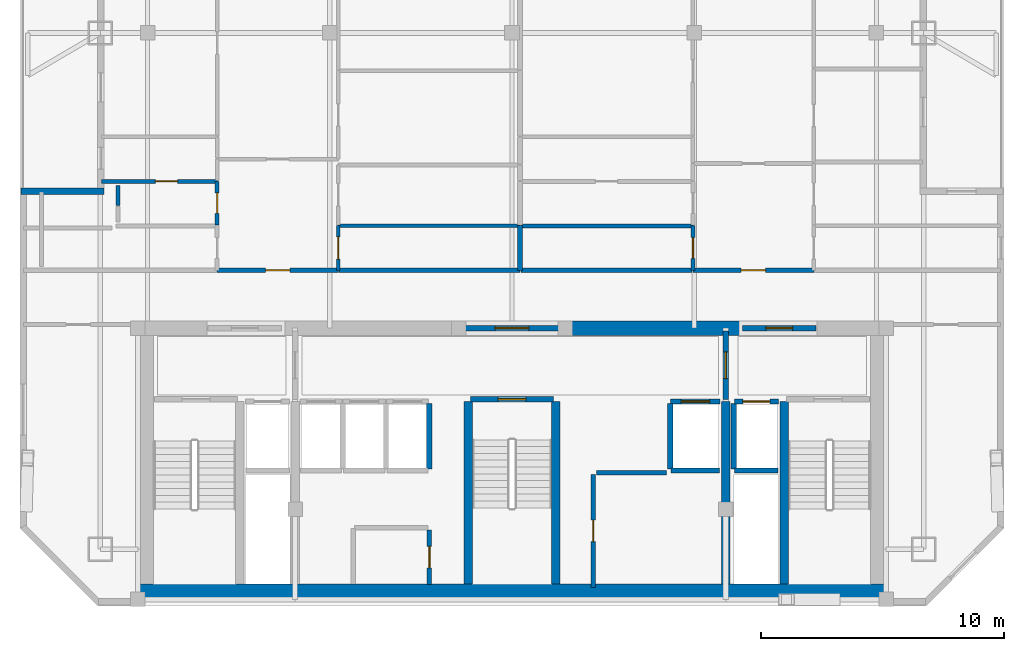
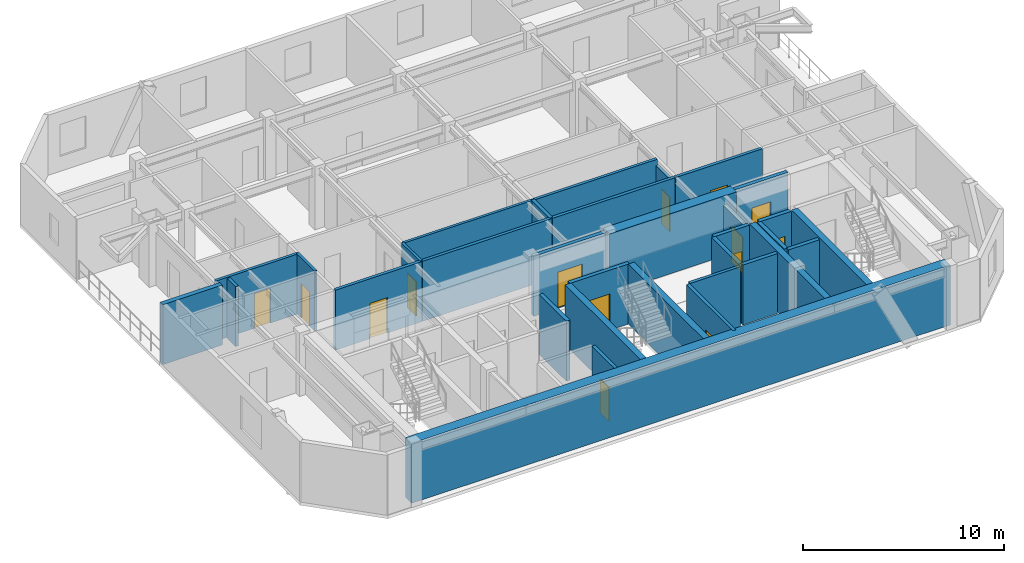
# One storey, part 3 of 7: 33 walls, 14 doors, 14 openings.
"""IFC4 building model written with IfcOpenShell, lengths in metres."""

from ifc_helpers import new_model, si_unit, direction, frame, frame_2d, origin, place, context, subcontext, project, spatial, rectangle, extrude, material, layer, layer_set, type_object, element, fill, save


model = new_model("IFC4")

# Units and contexts
model_context = context("Model", 3, precision=1e-05, world=origin(), true_north=direction((0.0, 1.0)))
body_context = subcontext(model_context, "Body", "Model", "MODEL_VIEW")
ifc_project = project(units=[si_unit("LENGTHUNIT", "METRE"), si_unit("AREAUNIT", "SQUARE_METRE"), si_unit("VOLUMEUNIT", "CUBIC_METRE"), si_unit("PLANEANGLEUNIT", "RADIAN"), si_unit("MASSUNIT", "GRAM", prefix="KILO")], contexts=[model_context])

# Site, building, storey
site_placement = place(None, origin())
site = spatial("IfcSite", under=ifc_project, at=site_placement, CompositionType="ELEMENT")
building_placement = place(site_placement, origin())
building = spatial("IfcBuilding", under=site, at=building_placement, Name="Ventersveld Concourse Tower", CompositionType="ELEMENT")
storey_placement = place(building_placement, frame((0.0, 0.0, 288.75)))
storey = spatial("IfcBuildingStorey", under=building, at=storey_placement, Name="L71", CompositionType="ELEMENT", Elevation=288.75)

# Walls
ifc_material_1 = material(Name="Concrete C50/60", Category="concrete")
ifc_layer_1 = layer(ifc_material_1, 0.35009765625)
ifc_layer_set_1 = layer_set([ifc_layer_1], Name="Concrete C50/60")
wall_type_1 = type_object("IfcWallType", Name="WL-CORE-350U", PredefinedType="SHEAR", material=ifc_layer_set_1)
for number, where, z_axis, x_axis, name in (
    (1, (26.93994140625, 0.919921875, 0.0), (0.0, 0.0, 1.0), (0.0, 1.0, 0.0), "L71 Core Internal Shear Web W-ST3-W"),
    (2, (30.56005859375, 0.919921875, 0.0), (0.0, 0.0, 1.0), (0.0, 1.0, 0.0), "L71 Core Internal Shear Web W-ST3-E"),
    (3, (37.550048828125, 0.919921875, 0.0), (0.0, 0.0, 1.0), (0.0, 1.0, 0.0), "L71 Core Internal Shear Web W-SVL-W"),
    (4, (39.9599609375, 0.919921875, 0.0), (0.0, 0.0, 1.0), (0.0, 1.0, 0.0), "L71 Core Internal Shear Web W-ST2-W"),
):
    element("IfcWall", number, at=place(storey_placement, frame(where, z_axis=z_axis, x_axis=x_axis)), inside=storey, type_object=wall_type_1, Name=name, PredefinedType="SHEAR", context=body_context, shape_type="SweptSolid", body=[
        extrude(rectangle(XDim=7.5, YDim=0.35009765625, at=frame_2d((3.75, 0.0))), origin(), (0.0, 0.0, 1.0), 3.64990234375),
    ])
ifc_layer_2 = layer(ifc_material_1, 0.60009765625)
ifc_layer_set_2 = layer_set([ifc_layer_2], Name="Concrete C50/60")
wall_type_2 = type_object("IfcWallType", Name="WL-CORE-600", PredefinedType="SHEAR", material=ifc_layer_set_2)
wall_1_placement = place(storey_placement, frame((13.25, 0.6201171875, 0.0), z_axis=(0.0, 0.0, 1.0), x_axis=(1.0, 0.0, 0.0)))
element("IfcWall", 5, at=wall_1_placement, inside=storey, type_object=wall_type_2, Name="L71 Rear Core South Shear Wall", PredefinedType="SHEAR", context=body_context, shape_type="SweptSolid", body=[
    extrude(rectangle(XDim=31.0, YDim=0.60009765625, at=frame_2d((15.5, 0.0))), origin(), (0.0, 0.0, 1.0), 3.64990234375),
])
wall_2_placement = place(storey_placement, frame((30.89990234375, 11.449951171875, 0.0), z_axis=(0.0, 0.0, 1.0), x_axis=(1.0, 0.0, 0.0)))
element("IfcWall", 6, at=wall_2_placement, inside=storey, type_object=wall_type_2, Name="L71 Rear Core North Shear Wall NMR", PredefinedType="SHEAR", context=body_context, shape_type="SweptSolid", body=[
    extrude(rectangle(XDim=7.300048828125, YDim=0.60009765625, at=frame_2d((3.64990234375, 0.0))), origin(), (0.0, 0.0, 1.0), 3.64990234375),
])

# Wall, opening, door
ifc_material_2 = material(Name="Fire-rated autoclaved aerated masonry blockwork", Category="masonry")
ifc_layer_3 = layer(ifc_material_2, 0.179931640625)
ifc_layer_set_3 = layer_set([ifc_layer_3], Name="Fire-rated autoclaved aerated masonry blockwork")
wall_type_3 = type_object("IfcWallType", Name="WL-CORR-180", PredefinedType="PARTITIONING", material=ifc_layer_set_3)
wall_3_placement = place(storey_placement, frame((25.35009765625, 0.89990234375, 0.0), z_axis=(0.0, 0.0, 1.0), x_axis=(0.0, 1.0, 0.0)))
wall_3 = element("IfcWall", 7, at=wall_3_placement, inside=storey, type_object=wall_type_3, Name="L71 Core Passage Wall SP-L71-RECB1", PredefinedType="PARTITIONING", context=body_context, shape_type="SweptSolid", body=[
    extrude(rectangle(XDim=2.239990234375, YDim=0.179931640625, at=frame_2d((1.1201171875, 0.0))), origin(), (0.0, 0.0, 1.0), 3.64990234375),
])
opening_1_placement = place(wall_3_placement, frame((0.679931640625, 0.0, 0.0)))
opening_1 = element("IfcOpeningElement", 8, at=opening_1_placement, cuts=wall_3, Name="Opening FD5", PredefinedType="OPENING", context=body_context, shape_type="SweptSolid", body=[
    extrude(rectangle(XDim=0.8798828125, YDim=2.050048828125, at=frame_2d((0.43994140625, 1.02490234375))), frame((0.0, 0.10009765625, 0.0), z_axis=(0.0, -1.0, 0.0), x_axis=(1.0, 0.0, 0.0)), (0.0, 0.0, 1.0), 0.199951171875),
])
ifc_material_3 = material(Name="Galvanised painted steel", Category="steel")
door_type_1 = type_object("IfcDoorType", Name="DR-RISER-088", OperationType="NOTDEFINED", PredefinedType="DOOR", material=ifc_material_3)
door_1_placement = place(opening_1_placement, origin())
door_1 = element("IfcDoor", 9, at=door_1_placement, inside=storey, type_object=door_type_1, Name="L71 Core Room Door L71 Reclaimed Core Residents Reading Room (CD-L71-3298)", OperationType="SINGLE_SWING_LEFT", OverallHeight=2.050048828125, OverallWidth=0.8798828125, PredefinedType="DOOR", context=body_context, shape_type="SweptSolid", body=[
    extrude(rectangle(XDim=0.8798828125, YDim=2.050048828125, at=frame_2d((0.43994140625, 1.02490234375))), frame((0.0, 0.02490234375, 0.0), z_axis=(0.0, -1.0, 0.0), x_axis=(1.0, 0.0, 0.0)), (0.0, 0.0, 1.0), 0.050048828125),
])
fill(opening_1, door_1)

wall_4_placement = place(storey_placement, frame((32.10009765625, 0.780029296875, 0.0), z_axis=(0.0, 0.0, 1.0), x_axis=(0.0, 1.0, 0.0)))
wall_4 = element("IfcWall", 10, at=wall_4_placement, inside=storey, type_object=wall_type_3, Name="L71 Core Passage Wall SP-L71-RECB2", PredefinedType="PARTITIONING", context=body_context, shape_type="SweptSolid", body=[
    extrude(rectangle(XDim=4.639892578125, YDim=0.179931640625, at=frame_2d((2.31982421875, 0.0))), origin(), (0.0, 0.0, 1.0), 3.64990234375),
])
opening_2_placement = place(wall_4_placement, frame((1.8798828125, 0.0, 0.0)))
opening_2 = element("IfcOpeningElement", 11, at=opening_2_placement, cuts=wall_4, Name="Opening FD5", PredefinedType="OPENING", context=body_context, shape_type="SweptSolid", body=[
    extrude(rectangle(XDim=0.8798828125, YDim=2.050048828125, at=frame_2d((0.43994140625, 1.02490234375))), frame((0.0, 0.10009765625, 0.0), z_axis=(0.0, -1.0, 0.0), x_axis=(1.0, 0.0, 0.0)), (0.0, 0.0, 1.0), 0.199951171875),
])
door_2_placement = place(opening_2_placement, origin())
door_2 = element("IfcDoor", 12, at=door_2_placement, inside=storey, type_object=door_type_1, Name="L71 Core Room Door L71 Reclaimed Core Wellness Yoga Studio (CD-L71-3299)", OperationType="SINGLE_SWING_RIGHT", OverallHeight=2.050048828125, OverallWidth=0.8798828125, PredefinedType="DOOR", context=body_context, shape_type="SweptSolid", body=[
    extrude(rectangle(XDim=0.8798828125, YDim=2.050048828125, at=frame_2d((0.43994140625, 1.02490234375))), frame((0.0, 0.02490234375, 0.0), z_axis=(0.0, -1.0, 0.0), x_axis=(1.0, 0.0, 0.0)), (0.0, 0.0, 1.0), 0.050048828125),
])
fill(opening_2, door_2)

# Wall
wall_5_placement = place(storey_placement, frame((32.219970703125, 5.5, 0.0), z_axis=(0.0, 0.0, 1.0), x_axis=(1.0, 0.0, 0.0)))
element("IfcWall", 13, at=wall_5_placement, inside=storey, type_object=wall_type_3, Name="L71 Core Top Wall SP-L71-RECB2", PredefinedType="PARTITIONING", context=body_context, shape_type="SweptSolid", body=[
    extrude(rectangle(XDim=2.900146484375, YDim=0.179931640625, at=frame_2d((1.4501953125, 0.0))), origin(), (0.0, 0.0, 1.0), 3.64990234375),
])

# Wall, opening, door
wall_6_placement = place(storey_placement, frame((16.60693359375, 13.830078125, 0.0), z_axis=(0.0, 0.0, 1.0), x_axis=(1.0, 0.0, 0.0)))
wall_6 = element("IfcWall", 14, at=wall_6_placement, inside=storey, type_object=wall_type_3, Name="L71 Interior Partition SP-L71-COR-SP-L71-71N1-FOY", PredefinedType="PARTITIONING", context=body_context, shape_type="SweptSolid", body=[
    extrude(rectangle(XDim=4.989990234375, YDim=0.179931640625, at=frame_2d((2.4951171875, 0.0))), origin(), (0.0, 0.0, 1.0), 3.64990234375),
])
opening_3_placement = place(wall_6_placement, frame((1.9951171875, 0.0, 0.0)))
opening_3 = element("IfcOpeningElement", 15, at=opening_3_placement, cuts=wall_6, Name="Opening FD3", PredefinedType="OPENING", context=body_context, shape_type="SweptSolid", body=[
    extrude(rectangle(XDim=1.0, YDim=2.14990234375, at=frame_2d((0.5, 1.074951171875))), frame((0.0, 0.10009765625, 0.0), z_axis=(0.0, -1.0, 0.0), x_axis=(1.0, 0.0, 0.0)), (0.0, 0.0, 1.0), 0.199951171875),
])
ifc_material_4 = material(Name="Solid-core hardwood veneer timber", Category="wood")
door_type_2 = type_object("IfcDoorType", Name="DR-FLAT-100", OperationType="NOTDEFINED", PredefinedType="DOOR", material=ifc_material_4)
door_3_placement = place(opening_3_placement, origin())
door_3 = element("IfcDoor", 16, at=door_3_placement, inside=storey, type_object=door_type_2, Name="L71 Interior Door SP-L71-COR to SP-L71-71N1-FOY (FD-L71-3302)", OperationType="SINGLE_SWING_RIGHT", OverallHeight=2.14990234375, OverallWidth=1.0, PredefinedType="DOOR", context=body_context, shape_type="SweptSolid", body=[
    extrude(rectangle(XDim=1.0, YDim=2.14990234375, at=frame_2d((0.5, 1.074951171875))), frame((0.0, 0.02490234375, 0.0), z_axis=(0.0, -1.0, 0.0), x_axis=(1.0, 0.0, 0.0)), (0.0, 0.0, 1.0), 0.050048828125),
])
fill(opening_3, door_3)

# Wall
wall_7_placement = place(storey_placement, frame((21.626953125, 13.830078125, 0.0), z_axis=(0.0, 0.0, 1.0), x_axis=(1.0, 0.0, 0.0)))
element("IfcWall", 17, at=wall_7_placement, inside=storey, type_object=wall_type_3, Name="L71 Interior Partition SP-L71-COR-SP-L71-71N1-KIT", PredefinedType="PARTITIONING", context=body_context, shape_type="SweptSolid", body=[
    extrude(rectangle(XDim=7.459716796875, YDim=0.179931640625, at=frame_2d((3.72998046875, 0.0))), origin(), (0.0, 0.0, 1.0), 3.64990234375),
])

# Wall, opening, door
wall_8_placement = place(storey_placement, frame((36.192626953125, 13.830078125, 0.0), z_axis=(0.0, 0.0, 1.0), x_axis=(1.0, 0.0, 0.0)))
wall_8 = element("IfcWall", 18, at=wall_8_placement, inside=storey, type_object=wall_type_3, Name="L71 Interior Partition SP-L71-COR-SP-L71-71N2-FOY", PredefinedType="PARTITIONING", context=body_context, shape_type="SweptSolid", body=[
    extrude(rectangle(XDim=4.989990234375, YDim=0.179931640625, at=frame_2d((2.4951171875, 0.0))), origin(), (0.0, 0.0, 1.0), 3.64990234375),
])
opening_4_placement = place(wall_8_placement, frame((1.9951171875, 0.0, 0.0)))
opening_4 = element("IfcOpeningElement", 19, at=opening_4_placement, cuts=wall_8, Name="Opening FD3", PredefinedType="OPENING", context=body_context, shape_type="SweptSolid", body=[
    extrude(rectangle(XDim=1.0, YDim=2.14990234375, at=frame_2d((0.5, 1.074951171875))), frame((0.0, 0.10009765625, 0.0), z_axis=(0.0, -1.0, 0.0), x_axis=(1.0, 0.0, 0.0)), (0.0, 0.0, 1.0), 0.199951171875),
])
door_4_placement = place(opening_4_placement, origin())
door_4 = element("IfcDoor", 20, at=door_4_placement, inside=storey, type_object=door_type_2, Name="L71 Interior Door SP-L71-COR to SP-L71-71N2-FOY (FD-L71-3303)", OperationType="SINGLE_SWING_LEFT", OverallHeight=2.14990234375, OverallWidth=1.0, PredefinedType="DOOR", context=body_context, shape_type="SweptSolid", body=[
    extrude(rectangle(XDim=1.0, YDim=2.14990234375, at=frame_2d((0.5, 1.074951171875))), frame((0.0, 0.02490234375, 0.0), z_axis=(0.0, -1.0, 0.0), x_axis=(1.0, 0.0, 0.0)), (0.0, 0.0, 1.0), 0.050048828125),
])
fill(opening_4, door_4)

# Walls
wall_9_placement = place(storey_placement, frame((29.11669921875, 13.830078125, 0.0), z_axis=(0.0, 0.0, 1.0), x_axis=(1.0, 0.0, 0.0)))
element("IfcWall", 21, at=wall_9_placement, inside=storey, type_object=wall_type_3, Name="L71 Interior Partition SP-L71-COR-SP-L71-71N2-BATH", PredefinedType="PARTITIONING", context=body_context, shape_type="SweptSolid", body=[
    extrude(rectangle(XDim=7.0458984375, YDim=0.179931640625, at=frame_2d((3.52294921875, 0.0))), origin(), (0.0, 0.0, 1.0), 3.64990234375),
])
ifc_layer_4 = layer(ifc_material_2, 0.199951171875)
ifc_layer_set_4 = layer_set([ifc_layer_4], Name="Fire-rated autoclaved aerated masonry blockwork")
wall_type_4 = type_object("IfcWallType", Name="WL-DEMISE-200", PredefinedType="PARTITIONING", material=ifc_layer_set_4)
wall_10_placement = place(storey_placement, frame((29.081787109375, 13.824951171875, 0.0), z_axis=(0.0, 0.0, 1.0), x_axis=(0.0, 1.0, 0.0)))
element("IfcWall", 22, at=wall_10_placement, inside=storey, type_object=wall_type_4, Name="L71 Interior Partition SP-L71-71N1-KIT-SP-L71-71N2-BATH", PredefinedType="PARTITIONING", context=body_context, shape_type="SweptSolid", body=[
    extrude(rectangle(XDim=1.840087890625, YDim=0.199951171875, at=frame_2d((0.919921875, 0.0))), origin(), (0.0, 0.0, 1.0), 3.64990234375),
])
ifc_layer_5 = layer(ifc_material_2, 0.219970703125)
ifc_layer_set_5 = layer_set([ifc_layer_5], Name="Fire-rated autoclaved aerated masonry blockwork")
wall_type_5 = type_object("IfcWallType", Name="WL-HOIST-220", PredefinedType="SOLIDWALL", material=ifc_layer_set_5)
wall_11_placement = place(storey_placement, frame((37.919921875, 5.590087890625, 0.0), z_axis=(0.0, 0.0, 1.0), x_axis=(1.0, 0.0, 0.0)))
element("IfcWall", 23, at=wall_11_placement, inside=storey, type_object=wall_type_5, Name="L71 Lift Hoistway Back Wall FFL-02", PredefinedType="SOLIDWALL", context=body_context, shape_type="SweptSolid", body=[
    extrude(rectangle(XDim=1.780029296875, YDim=0.219970703125, at=frame_2d((0.89013671875, 0.0))), origin(), (0.0, 0.0, 1.0), 3.64990234375),
])
wall_12_placement = place(storey_placement, frame((37.8798828125, 5.64990234375, 0.0), z_axis=(0.0, 0.0, 1.0), x_axis=(0.0, 1.0, 0.0)))
element("IfcWall", 24, at=wall_12_placement, inside=storey, type_object=wall_type_5, Name="L71 Lift Hoistway Side Wall FFL-02W", PredefinedType="SOLIDWALL", context=body_context, shape_type="SweptSolid", body=[
    extrude(rectangle(XDim=2.7001953125, YDim=0.219970703125, at=frame_2d((1.35009765625, 0.0))), origin(), (0.0, 0.0, 1.0), 3.64990234375),
])

# Wall, opening, door
wall_13_placement = place(storey_placement, frame((37.89990234375, 8.429931640625, 0.0), z_axis=(0.0, 0.0, 1.0), x_axis=(1.0, 0.0, 0.0)))
wall_13 = element("IfcWall", 25, at=wall_13_placement, inside=storey, type_object=wall_type_5, Name="L71 Lift Hoistway Front Wall FFL-02", PredefinedType="SOLIDWALL", context=body_context, shape_type="SweptSolid", body=[
    extrude(rectangle(XDim=1.820068359375, YDim=0.219970703125, at=frame_2d((0.91015625, 0.0))), origin(), (0.0, 0.0, 1.0), 3.64990234375),
])
opening_5_placement = place(wall_13_placement, frame((0.35009765625, 0.0, 0.0)))
opening_5 = element("IfcOpeningElement", 26, at=opening_5_placement, cuts=wall_13, Name="Opening LD1", PredefinedType="OPENING", context=body_context, shape_type="SweptSolid", body=[
    extrude(rectangle(XDim=1.1201171875, YDim=2.25, at=frame_2d((0.56005859375, 1.125))), frame((0.0, 0.1201171875, 0.0), z_axis=(0.0, -1.0, 0.0), x_axis=(1.0, 0.0, 0.0)), (0.0, 0.0, 1.0), 0.239990234375),
])
ifc_material_5 = material(Name="Brushed stainless steel 316", Category="steel")
door_type_3 = type_object("IfcDoorType", Name="LD-FF-112", OperationType="SLIDING_TO_LEFT", PredefinedType="DOOR", material=ifc_material_5)
door_5_placement = place(opening_5_placement, origin())
door_5 = element("IfcDoor", 27, at=door_5_placement, inside=storey, type_object=door_type_3, Name="L71 Lift landing door FFL-02 (LD-L71-FFL-02)", OperationType="SLIDING_TO_LEFT", OverallHeight=2.25, OverallWidth=1.1201171875, PredefinedType="DOOR", context=body_context, shape_type="SweptSolid", body=[
    extrude(rectangle(XDim=1.1201171875, YDim=2.25, at=frame_2d((0.56005859375, 1.125))), frame((0.0, 0.02490234375, 0.0), z_axis=(0.0, -1.0, 0.0), x_axis=(1.0, 0.0, 0.0)), (0.0, 0.0, 1.0), 0.050048828125),
])
fill(opening_5, door_5)

# Walls
wall_14_placement = place(storey_placement, frame((35.300048828125, 5.590087890625, 0.0), z_axis=(0.0, 0.0, 1.0), x_axis=(1.0, 0.0, 0.0)))
element("IfcWall", 28, at=wall_14_placement, inside=storey, type_object=wall_type_5, Name="L71 Lift Hoistway Back Wall SVL-01", PredefinedType="SOLIDWALL", context=body_context, shape_type="SweptSolid", body=[
    extrude(rectangle(XDim=2.0, YDim=0.219970703125, at=frame_2d((1.0, 0.0))), origin(), (0.0, 0.0, 1.0), 3.64990234375),
])
wall_15_placement = place(storey_placement, frame((35.260009765625, 5.64990234375, 0.0), z_axis=(0.0, 0.0, 1.0), x_axis=(0.0, 1.0, 0.0)))
element("IfcWall", 29, at=wall_15_placement, inside=storey, type_object=wall_type_5, Name="L71 Lift Hoistway Side Wall SVL-01W", PredefinedType="SOLIDWALL", context=body_context, shape_type="SweptSolid", body=[
    extrude(rectangle(XDim=2.7001953125, YDim=0.219970703125, at=frame_2d((1.35009765625, 0.0))), origin(), (0.0, 0.0, 1.0), 3.64990234375),
])

# Wall, opening, door
wall_16_placement = place(storey_placement, frame((35.280029296875, 8.429931640625, 0.0), z_axis=(0.0, 0.0, 1.0), x_axis=(1.0, 0.0, 0.0)))
wall_16 = element("IfcWall", 30, at=wall_16_placement, inside=storey, type_object=wall_type_5, Name="L71 Lift Hoistway Front Wall SVL-01", PredefinedType="SOLIDWALL", context=body_context, shape_type="SweptSolid", body=[
    extrude(rectangle(XDim=2.0400390625, YDim=0.219970703125, at=frame_2d((1.02001953125, 0.0))), origin(), (0.0, 0.0, 1.0), 3.64990234375),
])
opening_6_placement = place(wall_16_placement, frame((0.429931640625, 0.0, 0.0)))
opening_6 = element("IfcOpeningElement", 31, at=opening_6_placement, cuts=wall_16, Name="Opening LD2", PredefinedType="OPENING", context=body_context, shape_type="SweptSolid", body=[
    extrude(rectangle(XDim=1.179931640625, YDim=2.199951171875, at=frame_2d((0.58984375, 1.10009765625))), frame((0.0, 0.1201171875, 0.0), z_axis=(0.0, -1.0, 0.0), x_axis=(1.0, 0.0, 0.0)), (0.0, 0.0, 1.0), 0.239990234375),
])
door_type_4 = type_object("IfcDoorType", Name="LD-PAX-118", OperationType="SLIDING_TO_LEFT", PredefinedType="DOOR", material=ifc_material_5)
door_6_placement = place(opening_6_placement, origin())
door_6 = element("IfcDoor", 32, at=door_6_placement, inside=storey, type_object=door_type_4, Name="L71 Lift landing door SVL-01 (LD-L71-SVL-01)", OperationType="SLIDING_TO_RIGHT", OverallHeight=2.199951171875, OverallWidth=1.179931640625, PredefinedType="DOOR", context=body_context, shape_type="SweptSolid", body=[
    extrude(rectangle(XDim=1.179931640625, YDim=2.199951171875, at=frame_2d((0.58984375, 1.10009765625))), frame((0.0, 0.02490234375, 0.0), z_axis=(0.0, -1.0, 0.0), x_axis=(1.0, 0.0, 0.0)), (0.0, 0.0, 1.0), 0.050048828125),
])
fill(opening_6, door_6)

# Wall
wall_17_placement = place(storey_placement, frame((25.340087890625, 5.64990234375, 0.0), z_axis=(0.0, 0.0, 1.0), x_axis=(0.0, 1.0, 0.0)))
element("IfcWall", 33, at=wall_17_placement, inside=storey, type_object=wall_type_5, Name="L71 Lift Hoistway Side Wall PH-03E", PredefinedType="SOLIDWALL", context=body_context, shape_type="SweptSolid", body=[
    extrude(rectangle(XDim=2.7001953125, YDim=0.219970703125, at=frame_2d((1.35009765625, 0.0))), origin(), (0.0, 0.0, 1.0), 3.64990234375),
])

# Wall, opening, door
wall_18_placement = place(storey_placement, frame((27.0400390625, 8.52001953125, 0.0), z_axis=(0.0, 0.0, 1.0), x_axis=(1.0, 0.0, 0.0)))
wall_18 = element("IfcWall", 34, at=wall_18_placement, inside=storey, type_object=wall_type_5, Name="L71 Escape Stair ST03 Fire Wall", PredefinedType="SOLIDWALL", context=body_context, shape_type="SweptSolid", body=[
    extrude(rectangle(XDim=3.419921875, YDim=0.219970703125, at=frame_2d((1.7099609375, 0.0))), origin(), (0.0, 0.0, 1.0), 3.64990234375),
])
opening_7_placement = place(wall_18_placement, frame((1.135009765625, 0.0, 0.0)))
opening_7 = element("IfcOpeningElement", 35, at=opening_7_placement, cuts=wall_18, Name="Opening FD1", PredefinedType="OPENING", context=body_context, shape_type="SweptSolid", body=[
    extrude(rectangle(XDim=1.14990234375, YDim=2.199951171875, at=frame_2d((0.574951171875, 1.10009765625))), frame((0.0, 0.1201171875, 0.0), z_axis=(0.0, -1.0, 0.0), x_axis=(1.0, 0.0, 0.0)), (0.0, 0.0, 1.0), 0.239990234375),
])
door_type_5 = type_object("IfcDoorType", Name="DR-STAIR-115", OperationType="NOTDEFINED", PredefinedType="DOOR", material=ifc_material_3)
door_7_placement = place(opening_7_placement, origin())
door_7 = element("IfcDoor", 36, at=door_7_placement, inside=storey, type_object=door_type_5, Name="L71 Escape Stair Door ST03 (SD-L71-3292)", OperationType="SINGLE_SWING_LEFT", OverallHeight=2.199951171875, OverallWidth=1.14990234375, PredefinedType="DOOR", context=body_context, shape_type="SweptSolid", body=[
    extrude(rectangle(XDim=1.14990234375, YDim=2.199951171875, at=frame_2d((0.574951171875, 1.10009765625))), frame((0.0, 0.02490234375, 0.0), z_axis=(0.0, -1.0, 0.0), x_axis=(1.0, 0.0, 0.0)), (0.0, 0.0, 1.0), 0.050048828125),
])
fill(opening_7, door_7)

wall_19_placement = place(storey_placement, frame((37.550048828125, 8.52001953125, 0.0), z_axis=(0.0, 0.0, 1.0), x_axis=(0.0, 1.0, 0.0)))
wall_19 = element("IfcWall", 37, at=wall_19_placement, inside=storey, type_object=wall_type_5, Name="L71 Firefighting Lobby Smoke-Stop Wall FFLE-SEP", PredefinedType="SOLIDWALL", context=body_context, shape_type="SweptSolid", body=[
    extrude(rectangle(XDim=2.800048828125, YDim=0.219970703125, at=frame_2d((1.39990234375, 0.0))), origin(), (0.0, 0.0, 1.0), 3.10546875),
])
opening_8_placement = place(wall_19_placement, frame((0.85009765625, 0.0, 0.0)))
opening_8 = element("IfcOpeningElement", 38, at=opening_8_placement, cuts=wall_19, Name="Opening FD2", PredefinedType="OPENING", context=body_context, shape_type="SweptSolid", body=[
    extrude(rectangle(XDim=1.10009765625, YDim=2.199951171875, at=frame_2d((0.550048828125, 1.10009765625))), frame((0.0, 0.1201171875, 0.0), z_axis=(0.0, -1.0, 0.0), x_axis=(1.0, 0.0, 0.0)), (0.0, 0.0, 1.0), 0.239990234375),
])
door_type_6 = type_object("IfcDoorType", Name="DR-FFL-110", OperationType="NOTDEFINED", PredefinedType="DOOR", material=ifc_material_3)
door_8_placement = place(opening_8_placement, origin())
door_8 = element("IfcDoor", 39, at=door_8_placement, inside=storey, type_object=door_type_6, Name="L71 Firefighting Lobby Door FFLE-SEP (FD-L71-3294)", OperationType="SINGLE_SWING_RIGHT", OverallHeight=2.199951171875, OverallWidth=1.10009765625, PredefinedType="DOOR", context=body_context, shape_type="SweptSolid", body=[
    extrude(rectangle(XDim=1.10009765625, YDim=2.199951171875, at=frame_2d((0.550048828125, 1.10009765625))), frame((0.0, 0.02490234375, 0.0), z_axis=(0.0, -1.0, 0.0), x_axis=(1.0, 0.0, 0.0)), (0.0, 0.0, 1.0), 0.050048828125),
])
fill(opening_8, door_8)

wall_20_placement = place(storey_placement, frame((26.6298828125, 11.449951171875, 0.0), z_axis=(0.0, 0.0, 1.0), x_axis=(1.0, 0.0, 0.0)))
wall_20 = element("IfcWall", 40, at=wall_20_placement, inside=storey, type_object=wall_type_5, Name="L71 Core North Fire Portal PLOB-OUT", PredefinedType="SOLIDWALL", context=body_context, shape_type="SweptSolid", body=[
    extrude(rectangle(XDim=4.240234375, YDim=0.219970703125, at=frame_2d((2.1201171875, 0.0))), origin(), (0.0, 0.0, 1.0), 3.64990234375),
])
opening_9_placement = place(wall_20_placement, frame((1.419921875, 0.0, 0.0)))
opening_9 = element("IfcOpeningElement", 41, at=opening_9_placement, cuts=wall_20, Name="Opening FD4", PredefinedType="OPENING", context=body_context, shape_type="SweptSolid", body=[
    extrude(rectangle(XDim=1.39990234375, YDim=2.199951171875, at=frame_2d((0.699951171875, 1.10009765625))), frame((0.0, 0.1201171875, 0.0), z_axis=(0.0, -1.0, 0.0), x_axis=(1.0, 0.0, 0.0)), (0.0, 0.0, 1.0), 0.239990234375),
])
door_type_7 = type_object("IfcDoorType", Name="DR-PLANT-140", OperationType="DOUBLE_DOOR_SINGLE_SWING", PredefinedType="DOOR", material=ifc_material_3)
door_9_placement = place(opening_9_placement, origin())
door_9 = element("IfcDoor", 42, at=door_9_placement, inside=storey, type_object=door_type_7, Name="L71 Core Lobby Fire Door PLOB-OUT (FD-L71-3296)", OperationType="DOUBLE_DOOR_SINGLE_SWING", OverallHeight=2.199951171875, OverallWidth=1.39990234375, PredefinedType="DOOR", context=body_context, shape_type="SweptSolid", body=[
    extrude(rectangle(XDim=1.39990234375, YDim=2.199951171875, at=frame_2d((0.699951171875, 1.10009765625))), frame((0.0, 0.02490234375, 0.0), z_axis=(0.0, -1.0, 0.0), x_axis=(1.0, 0.0, 0.0)), (0.0, 0.0, 1.0), 0.050048828125),
])
fill(opening_9, door_9)

wall_21_placement = place(storey_placement, frame((38.22998046875, 11.449951171875, 0.0), z_axis=(0.0, 0.0, 1.0), x_axis=(1.0, 0.0, 0.0)))
wall_21 = element("IfcWall", 43, at=wall_21_placement, inside=storey, type_object=wall_type_5, Name="L71 Core North Fire Portal FFLE-OUT", PredefinedType="SOLIDWALL", context=body_context, shape_type="SweptSolid", body=[
    extrude(rectangle(XDim=3.0400390625, YDim=0.219970703125, at=frame_2d((1.52001953125, 0.0))), origin(), (0.0, 0.0, 1.0), 3.64990234375),
])
opening_10_placement = place(wall_21_placement, frame((0.969970703125, 0.0, 0.0)))
opening_10 = element("IfcOpeningElement", 44, at=opening_10_placement, cuts=wall_21, Name="Opening FD2", PredefinedType="OPENING", context=body_context, shape_type="SweptSolid", body=[
    extrude(rectangle(XDim=1.10009765625, YDim=2.199951171875, at=frame_2d((0.550048828125, 1.10009765625))), frame((0.0, 0.1201171875, 0.0), z_axis=(0.0, -1.0, 0.0), x_axis=(1.0, 0.0, 0.0)), (0.0, 0.0, 1.0), 0.239990234375),
])
door_10_placement = place(opening_10_placement, origin())
door_10 = element("IfcDoor", 45, at=door_10_placement, inside=storey, type_object=door_type_6, Name="L71 Core Lobby Fire Door FFLE-OUT (FD-L71-3297)", OperationType="SINGLE_SWING_LEFT", OverallHeight=2.199951171875, OverallWidth=1.10009765625, PredefinedType="DOOR", context=body_context, shape_type="SweptSolid", body=[
    extrude(rectangle(XDim=1.10009765625, YDim=2.199951171875, at=frame_2d((0.550048828125, 1.10009765625))), frame((0.0, 0.02490234375, 0.0), z_axis=(0.0, -1.0, 0.0), x_axis=(1.0, 0.0, 0.0)), (0.0, 0.0, 1.0), 0.050048828125),
])
fill(opening_10, door_10)

ifc_material_6 = material(Name="Autoclaved aerated masonry blockwork", Category="masonry")
ifc_layer_6 = layer(ifc_material_6, 0.14990234375)
ifc_layer_set_6 = layer_set([ifc_layer_6], Name="Autoclaved aerated masonry blockwork")
wall_type_6 = type_object("IfcWallType", Name="WL-INT-150", PredefinedType="PARTITIONING", material=ifc_layer_set_6)
wall_22_placement = place(storey_placement, frame((21.591796875, 13.824951171875, 0.0), z_axis=(0.0, 0.0, 1.0), x_axis=(0.0, 1.0, 0.0)))
wall_22 = element("IfcWall", 46, at=wall_22_placement, inside=storey, type_object=wall_type_6, Name="L71 Interior Partition SP-L71-71N1-FOY-SP-L71-71N1-KIT", PredefinedType="PARTITIONING", context=body_context, shape_type="SweptSolid", body=[
    extrude(rectangle(XDim=1.840087890625, YDim=0.14990234375, at=frame_2d((0.919921875, 0.0))), origin(), (0.0, 0.0, 1.0), 3.64990234375),
])
opening_11_placement = place(wall_22_placement, frame((0.4599609375, 0.0, 0.0)))
opening_11 = element("IfcOpeningElement", 47, at=opening_11_placement, cuts=wall_22, Name="Opening ID1", PredefinedType="OPENING", context=body_context, shape_type="SweptSolid", body=[
    extrude(rectangle(XDim=0.919921875, YDim=2.10009765625, at=frame_2d((0.4599609375, 1.050048828125))), frame((0.0, 0.0849609375, 0.0), z_axis=(0.0, -1.0, 0.0), x_axis=(1.0, 0.0, 0.0)), (0.0, 0.0, 1.0), 0.169921875),
])
door_type_8 = type_object("IfcDoorType", Name="DR-ROOM-092", OperationType="NOTDEFINED", PredefinedType="DOOR", material=ifc_material_4)
door_11_placement = place(opening_11_placement, origin())
door_11 = element("IfcDoor", 48, at=door_11_placement, inside=storey, type_object=door_type_8, Name="L71 Interior Door SP-L71-71N1-FOY to SP-L71-71N1-KIT (D-L71-3307)", OperationType="SINGLE_SWING_LEFT", OverallHeight=2.10009765625, OverallWidth=0.919921875, PredefinedType="DOOR", context=body_context, shape_type="SweptSolid", body=[
    extrude(rectangle(XDim=0.919921875, YDim=2.10009765625, at=frame_2d((0.4599609375, 1.050048828125))), frame((0.0, 0.02490234375, 0.0), z_axis=(0.0, -1.0, 0.0), x_axis=(1.0, 0.0, 0.0)), (0.0, 0.0, 1.0), 0.050048828125),
])
fill(opening_11, door_11)

# Walls
wall_23_placement = place(storey_placement, frame((21.5869140625, 15.659912109375, 0.0), z_axis=(0.0, 0.0, 1.0), x_axis=(1.0, 0.0, 0.0)))
element("IfcWall", 49, at=wall_23_placement, inside=storey, type_object=wall_type_6, Name="L71 Interior Partition SP-L71-71N1-KIT-SP-L71-71N1-SEMR1", PredefinedType="PARTITIONING", context=body_context, shape_type="SweptSolid", body=[
    extrude(rectangle(XDim=7.499755859375, YDim=0.14990234375, at=frame_2d((3.75, 0.0))), origin(), (0.0, 0.0, 1.0), 3.64990234375),
])
ifc_material_7 = material(Name="Precast concrete C45/55", Category="concrete")
ifc_layer_7 = layer(ifc_material_7, 0.260009765625)
ifc_layer_set_7 = layer_set([ifc_layer_7], Name="Precast concrete C45/55")
wall_type_7 = type_object("IfcWallType", Name="WL-PREC-260", PredefinedType="SOLIDWALL", material=ifc_layer_set_7)
wall_24_placement = place(storey_placement, frame((11.955322265625, 17.08056640625, 0.0), z_axis=(0.0, 0.0, 1.0), x_axis=(-1.0, 0.0, 0.0)))
element("IfcWall", 50, at=wall_24_placement, inside=storey, type_object=wall_type_7, Name="L71 Highveld Precast Facade Wall E14", PredefinedType="SOLIDWALL", context=body_context, shape_type="SweptSolid", body=[
    extrude(rectangle(XDim=3.419921875, YDim=0.260009765625, at=frame_2d((1.7099609375, 0.0))), origin(), (0.0, 0.0, 1.0), 3.64990234375),
])

# Wall, opening, door
ifc_layer_8 = layer(ifc_material_6, 0.1650390625)
ifc_layer_set_8 = layer_set([ifc_layer_8], Name="Autoclaved aerated masonry blockwork")
wall_type_8 = type_object("IfcWallType", Name="WL-WET-165", PredefinedType="PLUMBINGWALL", material=ifc_layer_set_8)
wall_25_placement = place(storey_placement, frame((16.61181640625, 15.695068359375, 0.0), z_axis=(0.0, 0.0, 1.0), x_axis=(0.0, 1.0, 0.0)))
wall_25 = element("IfcWall", 51, at=wall_25_placement, inside=storey, type_object=wall_type_8, Name="L71 Interior Partition SP-L71-71N1-FOY-SP-L71-71N1-PWDL2", PredefinedType="PLUMBINGWALL", context=body_context, shape_type="SweptSolid", body=[
    extrude(rectangle(XDim=1.800048828125, YDim=0.1650390625, at=frame_2d((0.89990234375, 0.0))), origin(), (0.0, 0.0, 1.0), 3.64990234375),
])
opening_12_placement = place(wall_25_placement, frame((0.47509765625, 0.0, 0.0)))
opening_12 = element("IfcOpeningElement", 52, at=opening_12_placement, cuts=wall_25, Name="Opening ID2", PredefinedType="OPENING", context=body_context, shape_type="SweptSolid", body=[
    extrude(rectangle(XDim=0.85009765625, YDim=2.10009765625, at=frame_2d((0.425048828125, 1.050048828125))), frame((0.0, 0.092529296875, 0.0), z_axis=(0.0, -1.0, 0.0), x_axis=(1.0, 0.0, 0.0)), (0.0, 0.0, 1.0), 0.18505859375),
])
door_type_9 = type_object("IfcDoorType", Name="DR-BATH-085", OperationType="NOTDEFINED", PredefinedType="DOOR", material=ifc_material_4)
door_12_placement = place(opening_12_placement, origin())
door_12 = element("IfcDoor", 53, at=door_12_placement, inside=storey, type_object=door_type_9, Name="L71 Interior Door SP-L71-71N1-FOY to SP-L71-71N1-PWDL2 (D-L71-3306)", OperationType="SINGLE_SWING_RIGHT", OverallHeight=2.10009765625, OverallWidth=0.85009765625, PredefinedType="DOOR", context=body_context, shape_type="SweptSolid", body=[
    extrude(rectangle(XDim=0.85009765625, YDim=2.10009765625, at=frame_2d((0.425048828125, 1.050048828125))), frame((0.0, 0.02490234375, 0.0), z_axis=(0.0, -1.0, 0.0), x_axis=(1.0, 0.0, 0.0)), (0.0, 0.0, 1.0), 0.050048828125),
])
fill(opening_12, door_12)

wall_26_placement = place(storey_placement, frame((11.8447265625, 17.489990234375, 0.0), z_axis=(0.0, 0.0, 1.0), x_axis=(1.0, 0.0, 0.0)))
wall_26 = element("IfcWall", 54, at=wall_26_placement, inside=storey, type_object=wall_type_8, Name="L71 Interior Partition SP-L71-71N1-PWDL2-SP-L71-71N1-PANL0", PredefinedType="PLUMBINGWALL", context=body_context, shape_type="SweptSolid", body=[
    extrude(rectangle(XDim=4.772216796875, YDim=0.1650390625, at=frame_2d((2.38623046875, 0.0))), origin(), (0.0, 0.0, 1.0), 3.64990234375),
])
opening_13_placement = place(wall_26_placement, frame((2.223876953125, 0.0, 0.0)))
opening_13 = element("IfcOpeningElement", 55, at=opening_13_placement, cuts=wall_26, Name="Opening ID1", PredefinedType="OPENING", context=body_context, shape_type="SweptSolid", body=[
    extrude(rectangle(XDim=0.919921875, YDim=2.10009765625, at=frame_2d((0.4599609375, 1.050048828125))), frame((0.0, 0.092529296875, 0.0), z_axis=(0.0, -1.0, 0.0), x_axis=(1.0, 0.0, 0.0)), (0.0, 0.0, 1.0), 0.18505859375),
])
door_13_placement = place(opening_13_placement, origin())
door_13 = element("IfcDoor", 56, at=door_13_placement, inside=storey, type_object=door_type_8, Name="L71 Interior Door Flat 71N1 Beverage Tea Pantry (D-L71-3326)", OperationType="SINGLE_SWING_LEFT", OverallHeight=2.10009765625, OverallWidth=0.919921875, PredefinedType="DOOR", context=body_context, shape_type="SweptSolid", body=[
    extrude(rectangle(XDim=0.919921875, YDim=2.10009765625, at=frame_2d((0.4599609375, 1.050048828125))), frame((0.0, 0.02490234375, 0.0), z_axis=(0.0, -1.0, 0.0), x_axis=(1.0, 0.0, 0.0)), (0.0, 0.0, 1.0), 0.050048828125),
])
fill(opening_13, door_13)

wall_27_placement = place(storey_placement, frame((36.197509765625, 13.824951171875, 0.0), z_axis=(0.0, 0.0, 1.0), x_axis=(0.0, 1.0, 0.0)))
wall_27 = element("IfcWall", 57, at=wall_27_placement, inside=storey, type_object=wall_type_8, Name="L71 Interior Partition SP-L71-71N2-FOY-SP-L71-71N2-BATH", PredefinedType="PLUMBINGWALL", context=body_context, shape_type="SweptSolid", body=[
    extrude(rectangle(XDim=1.840087890625, YDim=0.1650390625, at=frame_2d((0.919921875, 0.0))), origin(), (0.0, 0.0, 1.0), 3.294921875),
])
opening_14_placement = place(wall_27_placement, frame((0.4951171875, 0.0, 0.0)))
opening_14 = element("IfcOpeningElement", 58, at=opening_14_placement, cuts=wall_27, Name="Opening ID2", PredefinedType="OPENING", context=body_context, shape_type="SweptSolid", body=[
    extrude(rectangle(XDim=0.85009765625, YDim=2.10009765625, at=frame_2d((0.425048828125, 1.050048828125))), frame((0.0, 0.092529296875, 0.0), z_axis=(0.0, -1.0, 0.0), x_axis=(1.0, 0.0, 0.0)), (0.0, 0.0, 1.0), 0.18505859375),
])
door_14_placement = place(opening_14_placement, origin())
door_14 = element("IfcDoor", 59, at=door_14_placement, inside=storey, type_object=door_type_9, Name="L71 Interior Door SP-L71-71N2-FOY to SP-L71-71N2-BATH (D-L71-3316)", OperationType="SINGLE_SWING_RIGHT", OverallHeight=2.10009765625, OverallWidth=0.85009765625, PredefinedType="DOOR", context=body_context, shape_type="SweptSolid", body=[
    extrude(rectangle(XDim=0.85009765625, YDim=2.10009765625, at=frame_2d((0.425048828125, 1.050048828125))), frame((0.0, 0.02490234375, 0.0), z_axis=(0.0, -1.0, 0.0), x_axis=(1.0, 0.0, 0.0)), (0.0, 0.0, 1.0), 0.050048828125),
])
fill(opening_14, door_14)

# Walls
wall_28_placement = place(storey_placement, frame((29.11669921875, 15.659912109375, 0.0), z_axis=(0.0, 0.0, 1.0), x_axis=(1.0, 0.0, 0.0)))
element("IfcWall", 60, at=wall_28_placement, inside=storey, type_object=wall_type_8, Name="L71 Interior Partition SP-L71-71N2-BATH-SP-L71-71N2-PWDL2", PredefinedType="PLUMBINGWALL", context=body_context, shape_type="SweptSolid", body=[
    extrude(rectangle(XDim=7.0859375, YDim=0.1650390625, at=frame_2d((3.54296875, 0.0))), origin(), (0.0, 0.0, 1.0), 3.64990234375),
])
wall_29_placement = place(storey_placement, frame((12.535400390625, 16.49560546875, 0.0), z_axis=(0.0, 0.0, 1.0), x_axis=(0.0, 1.0, 0.0)))
element("IfcWall", 61, at=wall_29_placement, inside=storey, type_object=wall_type_8, Name="L71 Room Enclosure Wall SP-L71-71N1-PWDL2", PredefinedType="PLUMBINGWALL", context=body_context, shape_type="SweptSolid", body=[
    extrude(rectangle(XDim=0.829345703125, YDim=0.1650390625, at=frame_2d((0.41455078125, 0.0))), origin(), (0.0, 0.0, 1.0), 3.64990234375),
])

save(model, "model.ifc")
